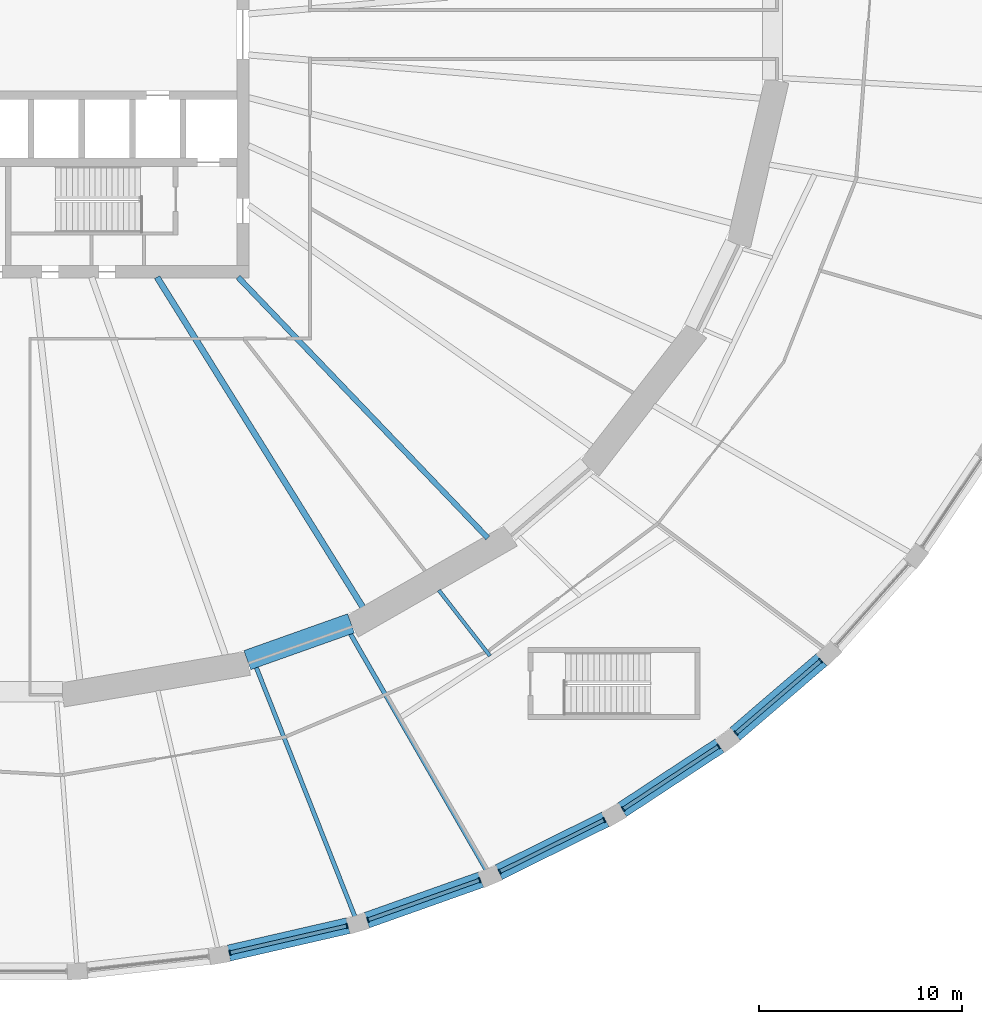
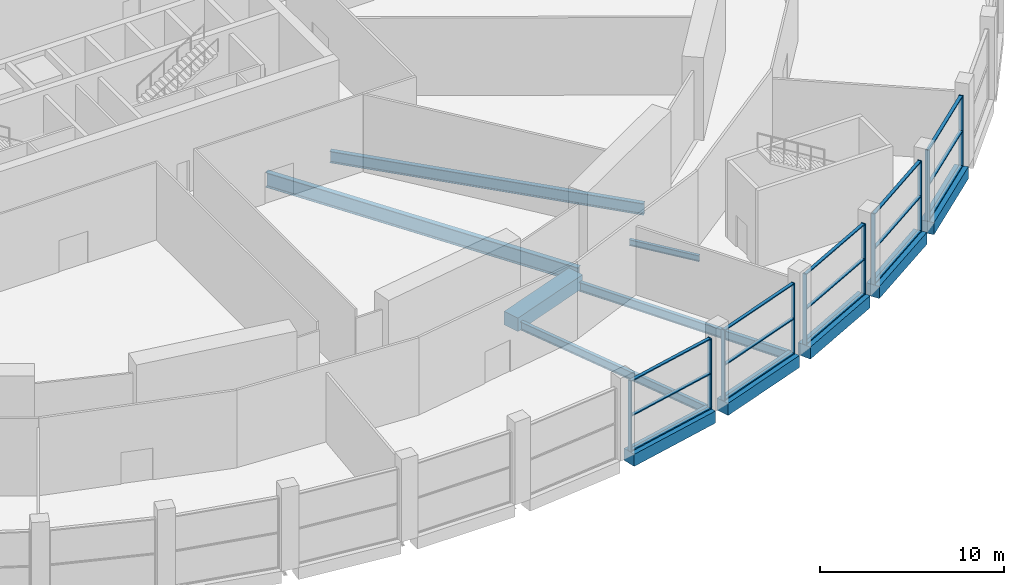
# One storey, part 8 of 29: 25 members, 11 beams, 5 elements without a shape of their own.
"""IFC4 building model written with IfcOpenShell, lengths in metres."""

import ifcopenshell
import ifcopenshell.guid

model = None  # the IFC model being written
_history = None  # IfcOwnerHistory: only IFC2X3 demands one
_inside = {}  # id of a spatial element -> (the spatial element, [elements in it])
_under = {}  # id of a project, library or spatial element -> (it, [spatial elements below it])
_declared = {}  # id of a project -> (the project, [libraries it declares])
_typed = {}  # id of a type object -> (the type object, [elements of that type])
_made_of = {}  # id of a material, layer set ... -> (it, [elements and type objects made of it])


def new_model(schema):
    """Start an empty IFC model of exactly this schema.

    Asked for "IFC4X3", IfcOpenShell would pick the latest addendum, in which some entities
    have other attributes; the version numbers below select the first issue.
    IFC2X3 requires an IfcOwnerHistory on every rooted entity: one is made here for all.
    """
    global model, _history
    if schema == "IFC4X3":
        model = ifcopenshell.file(schema_version=(4, 3, 0, 0))
    else:
        model = ifcopenshell.file(schema=schema)
    _inside.clear()
    _under.clear()
    _declared.clear()
    _typed.clear()
    _made_of.clear()
    _history = None
    if model.schema == "IFC2X3":
        org = make("IfcOrganization", Name="unknown")
        user = make(
            "IfcPersonAndOrganization",
            ThePerson=make("IfcPerson", FamilyName="unknown"),
            TheOrganization=org,
        )
        app = make(
            "IfcApplication",
            ApplicationDeveloper=org,
            Version="unknown",
            ApplicationFullName="unknown",
            ApplicationIdentifier="unknown",
        )
        _history = make(
            "IfcOwnerHistory",
            OwningUser=user,
            OwningApplication=app,
            ChangeAction="ADDED",
            CreationDate=0,
        )
    return model


def make(cls, **values):
    """One entity of the class cls with the attributes given. An attribute that is None is left unset."""
    return model.create_entity(
        cls, **{name: value for name, value in values.items() if value is not None}
    )


def rooted(cls, **values):
    """An entity with a GlobalId (a new one), such as an element, a storey or a relation."""
    return make(cls, GlobalId=ifcopenshell.guid.new(), OwnerHistory=_history, **values)


def si_unit(unit_type, name, prefix=None):
    """IfcSIUnit, for example si_unit("LENGTHUNIT", "METRE", prefix="MILLI")."""
    return make("IfcSIUnit", UnitType=unit_type, Prefix=prefix, Name=name)


def assignment(units):
    """IfcUnitAssignment: the units of a project."""
    return None if units is None else make("IfcUnitAssignment", Units=units)


def point(xyz):
    """IfcCartesianPoint."""
    return None if xyz is None else make("IfcCartesianPoint", Coordinates=xyz)


def direction(xyz):
    """IfcDirection."""
    return None if xyz is None else make("IfcDirection", DirectionRatios=xyz)


def frame(location, z_axis=None, x_axis=None):
    """IfcAxis2Placement3D, a coordinate frame: its origin and axes. An axis left out is left unset."""
    return make(
        "IfcAxis2Placement3D",
        Location=point(location),
        Axis=direction(z_axis),
        RefDirection=direction(x_axis),
    )


def frame_2d(location, x_axis=None):
    """IfcAxis2Placement2D, a coordinate frame in the plane: its origin and x axis."""
    return make(
        "IfcAxis2Placement2D", Location=point(location), RefDirection=direction(x_axis)
    )


def origin():
    """The frame at (0, 0, 0) with its axes left unset."""
    return frame((0.0, 0.0, 0.0))


def origin_2d():
    """The frame at (0, 0) in the plane with its x axis left unset."""
    return frame_2d((0.0, 0.0))


def place(relative_to, where):
    """IfcLocalPlacement: puts the frame where relative to a parent placement (None: the world)."""
    return make(
        "IfcLocalPlacement", PlacementRelTo=relative_to, RelativePlacement=where
    )


def context(
    kind, dimensions, precision=None, world=None, true_north=None, identifier=None
):
    """IfcGeometricRepresentationContext, for example the 3D "Model" context."""
    return make(
        "IfcGeometricRepresentationContext",
        ContextIdentifier=identifier,
        ContextType=kind,
        CoordinateSpaceDimension=dimensions,
        Precision=precision,
        WorldCoordinateSystem=world,
        TrueNorth=true_north,
    )


def subcontext(parent, identifier, kind, view, scale=None):
    """IfcGeometricRepresentationSubContext, for example "Body" below "Model"."""
    return make(
        "IfcGeometricRepresentationSubContext",
        ContextIdentifier=identifier,
        ContextType=kind,
        ParentContext=parent,
        TargetScale=scale,
        TargetView=view,
    )


def project(units=None, contexts=None):
    """IfcProject with its units and contexts."""
    return rooted(
        "IfcProject",
        Name="project",
        RepresentationContexts=contexts,
        UnitsInContext=assignment(units),
    )


def spatial(cls, under=None, at=None, **own):
    """A site, building, storey or space (cls), placed at a placement, below another one or the project."""
    s = rooted(cls, ObjectPlacement=at, **own)
    if under is not None:
        _under.setdefault(under.id(), (under, []))[1].append(s)
    return s


def profile(cls, at=None, kind="AREA", **sizes):
    """A parametric profile (cls). Its sizes go by their IFC names, for example OverallWidth=200.0."""
    return make(cls, ProfileType=kind, Position=at, **sizes)


def rectangle(**sizes):
    """IfcRectangleProfileDef."""
    return profile("IfcRectangleProfileDef", **sizes)


def i_section(**sizes):
    """IfcIShapeProfileDef."""
    return profile("IfcIShapeProfileDef", **sizes)


def extrude(swept, where, along, depth):
    """IfcExtrudedAreaSolid: the profile swept, set in the frame where, extruded along a direction by depth."""
    return make(
        "IfcExtrudedAreaSolid",
        SweptArea=swept,
        Position=where,
        ExtrudedDirection=direction(along),
        Depth=depth,
    )


def shape(context_of_items, identifier, shape_type, items):
    """IfcShapeRepresentation: the items that make up one representation, for example the "Body"."""
    return make(
        "IfcShapeRepresentation",
        ContextOfItems=context_of_items,
        RepresentationIdentifier=identifier,
        RepresentationType=shape_type,
        Items=items,
    )


def material(Name=None, Category=None):
    """IfcMaterial."""
    return make("IfcMaterial", Name=Name, Category=Category)


def material_profile(
    of_material, cross_section, Name=None, Category=None, Priority=None
):
    """IfcMaterialProfile: a cross section and its material."""
    return make(
        "IfcMaterialProfile",
        Name=Name,
        Material=of_material,
        Profile=cross_section,
        Priority=Priority,
        Category=Category,
    )


def profile_set(profiles, Name=None, composite=None):
    """IfcMaterialProfileSet."""
    return make(
        "IfcMaterialProfileSet",
        Name=Name,
        MaterialProfiles=profiles,
        CompositeProfile=composite,
    )


def made_of(thing, what):
    """Note that an element or type object is made of a material, layer set ...; save() writes the relation."""
    if what is not None:
        _made_of.setdefault(what.id(), (what, []))[1].append(thing)
    return thing


def type_object(cls, material=None, **own):
    """A type object (cls), such as IfcWallType, which elements share."""
    return made_of(rooted(cls, **own), material)


def element(
    cls,
    number,
    at=None,
    inside=None,
    cuts=None,
    type_object=None,
    material=None,
    context=None,
    identifier="Body",
    shape_type=None,
    held_by="IfcProductDefinitionShape",
    body=None,
    shapes=None,
    **own,
):
    """One element of the class cls, such as IfcWall. Its Tag is "e" and its number.

    at: its placement. inside: the storey or other place that contains it. cuts: it is an
    opening in that element (IfcRelVoidsElement). A single representation is given by context,
    identifier, shape_type and body (its items); several are given by shapes. held_by: the class
    of the entity that holds the representations. save() writes the other relations.
    """
    e = rooted(cls, Tag="e%d" % number, ObjectPlacement=at, **own)
    if body is not None:
        shapes = [shape(context, identifier, shape_type, body)]
    if shapes is not None:
        e.Representation = make(held_by, Representations=shapes)
    if inside is not None:
        _inside.setdefault(inside.id(), (inside, []))[1].append(e)
    if cuts is not None:
        rooted(
            "IfcRelVoidsElement", RelatingBuildingElement=cuts, RelatedOpeningElement=e
        )
    if type_object is not None:
        _typed.setdefault(type_object.id(), (type_object, []))[1].append(e)
    return made_of(e, material)


def aggregate(whole, parts):
    """IfcRelAggregates: a whole, such as a stair, and the parts it consists of."""
    return rooted("IfcRelAggregates", RelatingObject=whole, RelatedObjects=parts)


def save(model, path):
    """Write the relations noted so far, then the file.

    IfcRelAggregates (storeys below a building ...), IfcRelContainedInSpatialStructure (elements
    in a storey), IfcRelDefinesByType, IfcRelAssociatesMaterial and IfcRelDeclares: one each for
    every whole, place, type object, material and project.
    """
    for whole, parts in _under.values():
        aggregate(whole, parts)
    for where, things in _inside.values():
        rooted(
            "IfcRelContainedInSpatialStructure",
            RelatedElements=things,
            RelatingStructure=where,
        )
    for kind, things in _typed.values():
        rooted("IfcRelDefinesByType", RelatedObjects=things, RelatingType=kind)
    for what, things in _made_of.values():
        rooted("IfcRelAssociatesMaterial", RelatedObjects=things, RelatingMaterial=what)
    for by, libraries in _declared.values():
        rooted("IfcRelDeclares", RelatingContext=by, RelatedDefinitions=libraries)
    model.write(path)


model = new_model("IFC4")

# Units and contexts
model_context = context("Model", 3, precision=1e-05, world=origin(), true_north=direction((0.0, 1.0)))
body_context = subcontext(model_context, "Body", "Model", "MODEL_VIEW")
ifc_project = project(units=[si_unit("LENGTHUNIT", "METRE"), si_unit("AREAUNIT", "SQUARE_METRE"), si_unit("VOLUMEUNIT", "CUBIC_METRE"), si_unit("PLANEANGLEUNIT", "RADIAN"), si_unit("MASSUNIT", "GRAM", prefix="KILO")], contexts=[model_context])

# Site, building, storey
site_placement = place(None, origin())
site = spatial("IfcSite", under=ifc_project, at=site_placement, CompositionType="ELEMENT")
building_placement = place(site_placement, origin())
building = spatial("IfcBuilding", under=site, at=building_placement, Name="Halqa Exchange Tower", CompositionType="ELEMENT")
storey_placement = place(building_placement, frame((0.0, 0.0, 7.0)))
storey = spatial("IfcBuildingStorey", under=building, at=storey_placement, Name="L01", CompositionType="ELEMENT", Elevation=7.0)

# Curtain wall, members
ifc_material_1 = material(Name="Anodised aluminium and clear glass", Category="aluminium")
curtain_wall_type = type_object("IfcCurtainWallType", Name="Exchange hall glazing", PredefinedType="NOTDEFINED", material=ifc_material_1)
curtain_wall_1_placement = place(storey_placement, origin())
curtain_wall_1 = element("IfcCurtainWall", 1, at=curtain_wall_1_placement, inside=storey, type_object=curtain_wall_type, Name="Exchange hall glazing run P38", PredefinedType="NOTDEFINED")
ifc_material_2 = material(Name="Anodised aluminium", Category="aluminium")
ifc_material_profile_1 = material_profile(ifc_material_2, rectangle(XDim=0.25, YDim=0.070068359375, at=origin_2d()), Name="AL 70x250")
ifc_profile_set_1 = profile_set([ifc_material_profile_1], Name="Anodised aluminium")
member_type_1 = type_object("IfcMemberType", Name="Exchange hall glazing mullion 70 x 250", PredefinedType="MULLION", material=ifc_profile_set_1)
member_1_placement = place(storey_placement, frame((11.056396484375, -45.29052734375, 0.0), z_axis=(0.0, 0.0, 1.0), x_axis=(-0.223896655269, 0.974612891234, 0.0)))
member_1 = element("IfcMember", 2, at=member_1_placement, type_object=member_type_1, Name="P38 mullion 1", PredefinedType="MULLION", context=body_context, shape_type="SweptSolid", body=[
    extrude(rectangle(XDim=0.25, YDim=0.070068359375, at=origin_2d()), origin(), (0.0, 0.0, 1.0), 4.699951171875),
])
member_2_placement = place(storey_placement, frame((16.836181640625, -43.962646484375, 0.0), z_axis=(0.0, 0.0, 1.0), x_axis=(-0.223896655269, 0.974612891234, 0.0)))
member_2 = element("IfcMember", 3, at=member_2_placement, type_object=member_type_1, Name="P38 mullion 2", PredefinedType="MULLION", context=body_context, shape_type="SweptSolid", body=[
    extrude(rectangle(XDim=0.25, YDim=0.070068359375, at=origin_2d()), origin(), (0.0, 0.0, 1.0), 4.699951171875),
])

curtain_wall_2_placement = place(storey_placement, origin())
curtain_wall_2 = element("IfcCurtainWall", 4, at=curtain_wall_2_placement, inside=storey, type_object=curtain_wall_type, Name="Exchange hall glazing run P39", PredefinedType="NOTDEFINED")
member_3_placement = place(storey_placement, frame((17.86181640625, -43.663818359375, 0.0), z_axis=(0.0, 0.0, 1.0), x_axis=(-0.334688348326, 0.942328875444, 0.0)))
member_3 = element("IfcMember", 5, at=member_3_placement, type_object=member_type_1, Name="P39 mullion 1", PredefinedType="MULLION", context=body_context, shape_type="SweptSolid", body=[
    extrude(rectangle(XDim=0.25, YDim=0.070068359375, at=origin_2d()), origin(), (0.0, 0.0, 1.0), 4.699951171875),
])
member_4_placement = place(storey_placement, frame((23.37939453125, -41.7041015625, 0.0), z_axis=(0.0, 0.0, 1.0), x_axis=(-0.334688348326, 0.942328875444, 0.0)))
member_4 = element("IfcMember", 6, at=member_4_placement, type_object=member_type_1, Name="P39 mullion 2", PredefinedType="MULLION", context=body_context, shape_type="SweptSolid", body=[
    extrude(rectangle(XDim=0.25, YDim=0.070068359375, at=origin_2d()), origin(), (0.0, 0.0, 1.0), 4.699951171875),
])

curtain_wall_3_placement = place(storey_placement, origin())
curtain_wall_3 = element("IfcCurtainWall", 7, at=curtain_wall_3_placement, inside=storey, type_object=curtain_wall_type, Name="Exchange hall glazing run P40", PredefinedType="NOTDEFINED")
member_5_placement = place(storey_placement, frame((24.363037109375, -41.287841796875, 0.0), z_axis=(0.0, 0.0, 1.0), x_axis=(-0.443653417058, 0.896198440934, 0.0)))
member_5 = element("IfcMember", 8, at=member_5_placement, type_object=member_type_1, Name="P40 mullion 1", PredefinedType="MULLION", context=body_context, shape_type="SweptSolid", body=[
    extrude(rectangle(XDim=0.25, YDim=0.070068359375, at=origin_2d()), origin(), (0.0, 0.0, 1.0), 4.699951171875),
])
member_6_placement = place(storey_placement, frame((29.521240234375, -38.734375, 0.0), z_axis=(0.0, 0.0, 1.0), x_axis=(-0.443653417058, 0.896198440934, 0.0)))
member_6 = element("IfcMember", 9, at=member_6_placement, type_object=member_type_1, Name="P40 mullion 2", PredefinedType="MULLION", context=body_context, shape_type="SweptSolid", body=[
    extrude(rectangle(XDim=0.25, YDim=0.070068359375, at=origin_2d()), origin(), (0.0, 0.0, 1.0), 4.699951171875),
])

curtain_wall_4_placement = place(storey_placement, origin())
curtain_wall_4 = element("IfcCurtainWall", 10, at=curtain_wall_4_placement, inside=storey, type_object=curtain_wall_type, Name="Exchange hall glazing run P41", PredefinedType="NOTDEFINED")
member_7_placement = place(storey_placement, frame((30.44775390625, -38.202880859375, 0.0), z_axis=(0.0, 0.0, 1.0), x_axis=(-0.549620040919, 0.835414753652, 0.0)))
member_7 = element("IfcMember", 11, at=member_7_placement, type_object=member_type_1, Name="P41 mullion 1", PredefinedType="MULLION", context=body_context, shape_type="SweptSolid", body=[
    extrude(rectangle(XDim=0.25, YDim=0.070068359375, at=origin_2d()), origin(), (0.0, 0.0, 1.0), 4.699951171875),
])
member_8_placement = place(storey_placement, frame((35.15771484375, -35.104248046875, 0.0), z_axis=(0.0, 0.0, 1.0), x_axis=(-0.549620040919, 0.835414753652, 0.0)))
member_8 = element("IfcMember", 12, at=member_8_placement, type_object=member_type_1, Name="P41 mullion 2", PredefinedType="MULLION", context=body_context, shape_type="SweptSolid", body=[
    extrude(rectangle(XDim=0.25, YDim=0.070068359375, at=origin_2d()), origin(), (0.0, 0.0, 1.0), 4.699951171875),
])

curtain_wall_5_placement = place(storey_placement, origin())
curtain_wall_5 = element("IfcCurtainWall", 13, at=curtain_wall_5_placement, inside=storey, type_object=curtain_wall_type, Name="Exchange hall glazing run P42", PredefinedType="NOTDEFINED")
member_9_placement = place(storey_placement, frame((36.010986328125, -34.4619140625, 0.0), z_axis=(0.0, 0.0, 1.0), x_axis=(-0.650910929175, 0.759154109704, 0.0)))
member_9 = element("IfcMember", 14, at=member_9_placement, type_object=member_type_1, Name="P42 mullion 1", PredefinedType="MULLION", context=body_context, shape_type="SweptSolid", body=[
    extrude(rectangle(XDim=0.25, YDim=0.070068359375, at=origin_2d()), origin(), (0.0, 0.0, 1.0), 4.699951171875),
])
member_10_placement = place(storey_placement, frame((40.193115234375, -30.8759765625, 0.0), z_axis=(0.0, 0.0, 1.0), x_axis=(-0.650910929175, 0.759154109704, 0.0)))
member_10 = element("IfcMember", 15, at=member_10_placement, type_object=member_type_1, Name="P42 mullion 2", PredefinedType="MULLION", context=body_context, shape_type="SweptSolid", body=[
    extrude(rectangle(XDim=0.25, YDim=0.070068359375, at=origin_2d()), origin(), (0.0, 0.0, 1.0), 4.699951171875),
])

# Member
ifc_material_profile_2 = material_profile(ifc_material_2, rectangle(XDim=0.199951171875, YDim=0.070068359375, at=origin_2d()), Name="AL 70x200")
ifc_profile_set_2 = profile_set([ifc_material_profile_2], Name="Anodised aluminium")
member_type_2 = type_object("IfcMemberType", Name="Exchange hall glazing transom 70 x 200", PredefinedType="USERDEFINED", material=ifc_profile_set_2)
member_11_placement = place(storey_placement, frame((11.09033203125, -45.28271484375, 0.034912109375), z_axis=(0.974610483498, 0.223907135784, 0.0), x_axis=(-0.223907135784, 0.974610483498, 0.0)))
member_11 = element("IfcMember", 16, at=member_11_placement, type_object=member_type_2, Name="P38 transom 1.1", ObjectType="TRANSOM", PredefinedType="USERDEFINED", context=body_context, shape_type="SweptSolid", body=[
    extrude(rectangle(XDim=0.199951171875, YDim=0.070068359375, at=origin_2d()), origin(), (0.0, 0.0, 1.0), 5.860595703125),
])

member_12_placement = place(storey_placement, frame((11.09033203125, -45.28271484375, 2.35009765625), z_axis=(0.974610483498, 0.223907135784, 0.0), x_axis=(-0.223907135784, 0.974610483498, 0.0)))
member_12 = element("IfcMember", 17, at=member_12_placement, type_object=member_type_2, Name="P38 transom 1.2", ObjectType="TRANSOM", PredefinedType="USERDEFINED", context=body_context, shape_type="SweptSolid", body=[
    extrude(rectangle(XDim=0.199951171875, YDim=0.070068359375, at=origin_2d()), origin(), (0.0, 0.0, 1.0), 5.860595703125),
])

member_13_placement = place(storey_placement, frame((11.09033203125, -45.28271484375, 4.6650390625), z_axis=(0.974610483498, 0.223907135784, 0.0), x_axis=(-0.223907135784, 0.974610483498, 0.0)))
member_13 = element("IfcMember", 18, at=member_13_placement, type_object=member_type_2, Name="P38 transom 1.3", ObjectType="TRANSOM", PredefinedType="USERDEFINED", context=body_context, shape_type="SweptSolid", body=[
    extrude(rectangle(XDim=0.199951171875, YDim=0.070068359375, at=origin_2d()), origin(), (0.0, 0.0, 1.0), 5.860595703125),
])

aggregate(curtain_wall_1, [member_1, member_2, member_11, member_12, member_13])

member_14_placement = place(storey_placement, frame((17.894775390625, -43.652099609375, 0.034912109375), z_axis=(0.942328600126, 0.334689123493, 0.0), x_axis=(-0.334689123493, 0.942328600126, 0.0)))
member_14 = element("IfcMember", 19, at=member_14_placement, type_object=member_type_2, Name="P39 transom 1.1", ObjectType="TRANSOM", PredefinedType="USERDEFINED", context=body_context, shape_type="SweptSolid", body=[
    extrude(rectangle(XDim=0.199951171875, YDim=0.070068359375, at=origin_2d()), origin(), (0.0, 0.0, 1.0), 5.785400390625),
])

member_15_placement = place(storey_placement, frame((17.894775390625, -43.652099609375, 2.35009765625), z_axis=(0.942328600126, 0.334689123493, 0.0), x_axis=(-0.334689123493, 0.942328600126, 0.0)))
member_15 = element("IfcMember", 20, at=member_15_placement, type_object=member_type_2, Name="P39 transom 1.2", ObjectType="TRANSOM", PredefinedType="USERDEFINED", context=body_context, shape_type="SweptSolid", body=[
    extrude(rectangle(XDim=0.199951171875, YDim=0.070068359375, at=origin_2d()), origin(), (0.0, 0.0, 1.0), 5.785400390625),
])

member_16_placement = place(storey_placement, frame((17.894775390625, -43.652099609375, 4.6650390625), z_axis=(0.942328600126, 0.334689123493, 0.0), x_axis=(-0.334689123493, 0.942328600126, 0.0)))
member_16 = element("IfcMember", 21, at=member_16_placement, type_object=member_type_2, Name="P39 transom 1.3", ObjectType="TRANSOM", PredefinedType="USERDEFINED", context=body_context, shape_type="SweptSolid", body=[
    extrude(rectangle(XDim=0.199951171875, YDim=0.070068359375, at=origin_2d()), origin(), (0.0, 0.0, 1.0), 5.785400390625),
])

aggregate(curtain_wall_2, [member_3, member_4, member_14, member_15, member_16])

member_17_placement = place(storey_placement, frame((24.39453125, -41.2724609375, 0.034912109375), z_axis=(0.89618076134, 0.443689128788, 0.0), x_axis=(-0.443689128788, 0.89618076134, 0.0)))
member_17 = element("IfcMember", 22, at=member_17_placement, type_object=member_type_2, Name="P40 transom 1.1", ObjectType="TRANSOM", PredefinedType="USERDEFINED", context=body_context, shape_type="SweptSolid", body=[
    extrude(rectangle(XDim=0.199951171875, YDim=0.070068359375, at=origin_2d()), origin(), (0.0, 0.0, 1.0), 5.685791015625),
])

member_18_placement = place(storey_placement, frame((24.39453125, -41.2724609375, 2.35009765625), z_axis=(0.89618076134, 0.443689128788, 0.0), x_axis=(-0.443689128788, 0.89618076134, 0.0)))
member_18 = element("IfcMember", 23, at=member_18_placement, type_object=member_type_2, Name="P40 transom 1.2", ObjectType="TRANSOM", PredefinedType="USERDEFINED", context=body_context, shape_type="SweptSolid", body=[
    extrude(rectangle(XDim=0.199951171875, YDim=0.070068359375, at=origin_2d()), origin(), (0.0, 0.0, 1.0), 5.685791015625),
])

member_19_placement = place(storey_placement, frame((24.39453125, -41.2724609375, 4.6650390625), z_axis=(0.89618076134, 0.443689128788, 0.0), x_axis=(-0.443689128788, 0.89618076134, 0.0)))
member_19 = element("IfcMember", 24, at=member_19_placement, type_object=member_type_2, Name="P40 transom 1.3", ObjectType="TRANSOM", PredefinedType="USERDEFINED", context=body_context, shape_type="SweptSolid", body=[
    extrude(rectangle(XDim=0.199951171875, YDim=0.070068359375, at=origin_2d()), origin(), (0.0, 0.0, 1.0), 5.685791015625),
])

aggregate(curtain_wall_3, [member_5, member_6, member_17, member_18, member_19])

member_20_placement = place(storey_placement, frame((30.47705078125, -38.183837890625, 0.034912109375), z_axis=(0.835401187087, 0.549640661355, 0.0), x_axis=(-0.549640661355, 0.835401187087, 0.0)))
member_20 = element("IfcMember", 25, at=member_20_placement, type_object=member_type_2, Name="P41 transom 1.1", ObjectType="TRANSOM", PredefinedType="USERDEFINED", context=body_context, shape_type="SweptSolid", body=[
    extrude(rectangle(XDim=0.199951171875, YDim=0.070068359375, at=origin_2d()), origin(), (0.0, 0.0, 1.0), 5.56787109375),
])

member_21_placement = place(storey_placement, frame((30.47705078125, -38.183837890625, 2.35009765625), z_axis=(0.835401187087, 0.549640661355, 0.0), x_axis=(-0.549640661355, 0.835401187087, 0.0)))
member_21 = element("IfcMember", 26, at=member_21_placement, type_object=member_type_2, Name="P41 transom 1.2", ObjectType="TRANSOM", PredefinedType="USERDEFINED", context=body_context, shape_type="SweptSolid", body=[
    extrude(rectangle(XDim=0.199951171875, YDim=0.070068359375, at=origin_2d()), origin(), (0.0, 0.0, 1.0), 5.56787109375),
])

member_22_placement = place(storey_placement, frame((30.47705078125, -38.183837890625, 4.6650390625), z_axis=(0.835401187087, 0.549640661355, 0.0), x_axis=(-0.549640661355, 0.835401187087, 0.0)))
member_22 = element("IfcMember", 27, at=member_22_placement, type_object=member_type_2, Name="P41 transom 1.3", ObjectType="TRANSOM", PredefinedType="USERDEFINED", context=body_context, shape_type="SweptSolid", body=[
    extrude(rectangle(XDim=0.199951171875, YDim=0.070068359375, at=origin_2d()), origin(), (0.0, 0.0, 1.0), 5.56787109375),
])

aggregate(curtain_wall_4, [member_7, member_8, member_20, member_21, member_22])

member_23_placement = place(storey_placement, frame((36.037353515625, -34.439208984375, 0.034912109375), z_axis=(0.759142529619, 0.650924434727, 0.0), x_axis=(-0.650924434727, 0.759142529619, 0.0)))
member_23 = element("IfcMember", 28, at=member_23_placement, type_object=member_type_2, Name="P42 transom 1.1", ObjectType="TRANSOM", PredefinedType="USERDEFINED", context=body_context, shape_type="SweptSolid", body=[
    extrude(rectangle(XDim=0.199951171875, YDim=0.070068359375, at=origin_2d()), origin(), (0.0, 0.0, 1.0), 5.439208984375),
])

member_24_placement = place(storey_placement, frame((36.037353515625, -34.439208984375, 2.35009765625), z_axis=(0.759142529619, 0.650924434727, 0.0), x_axis=(-0.650924434727, 0.759142529619, 0.0)))
member_24 = element("IfcMember", 29, at=member_24_placement, type_object=member_type_2, Name="P42 transom 1.2", ObjectType="TRANSOM", PredefinedType="USERDEFINED", context=body_context, shape_type="SweptSolid", body=[
    extrude(rectangle(XDim=0.199951171875, YDim=0.070068359375, at=origin_2d()), origin(), (0.0, 0.0, 1.0), 5.439208984375),
])

member_25_placement = place(storey_placement, frame((36.037353515625, -34.439208984375, 4.6650390625), z_axis=(0.759142529619, 0.650924434727, 0.0), x_axis=(-0.650924434727, 0.759142529619, 0.0)))
member_25 = element("IfcMember", 30, at=member_25_placement, type_object=member_type_2, Name="P42 transom 1.3", ObjectType="TRANSOM", PredefinedType="USERDEFINED", context=body_context, shape_type="SweptSolid", body=[
    extrude(rectangle(XDim=0.199951171875, YDim=0.070068359375, at=origin_2d()), origin(), (0.0, 0.0, 1.0), 5.439208984375),
])

aggregate(curtain_wall_5, [member_9, member_10, member_23, member_24, member_25])

# Beams
ifc_material_3 = material(Name="Steel S355", Category="steel")
ifc_material_profile_3 = material_profile(ifc_material_3, i_section(OverallWidth=0.300048828125, OverallDepth=0.989990234375, WebThickness=0.0166015625, FlangeThickness=0.031005859375, FilletRadius=0.030029296875, at=origin_2d()), Name="HEA 1000")
ifc_profile_set_3 = profile_set([ifc_material_profile_3], Name="Steel S355")
beam_type_1 = type_object("IfcBeamType", Name="Floor beam HEA 1000", PredefinedType="BEAM", material=ifc_profile_set_3)
beam_1_placement = place(storey_placement, frame((7.46533203125, -11.971435546875, -0.844970703125), z_axis=(0.529145823441, -0.848530905468, 0.0), x_axis=(0.848530905468, 0.529145823441, 0.0)))
element("IfcBeam", 31, at=beam_1_placement, inside=storey, type_object=beam_type_1, Name="Radial beam 27", PredefinedType="BEAM", context=body_context, shape_type="SweptSolid", body=[
    extrude(i_section(OverallWidth=0.300048828125, OverallDepth=0.989990234375, WebThickness=0.0166015625, FlangeThickness=0.031005859375, FilletRadius=0.030029296875, at=origin_2d()), origin(), (0.0, 0.0, 1.0), 19.27294921875),
])
ifc_material_profile_4 = material_profile(ifc_material_3, i_section(OverallWidth=0.179931640625, OverallDepth=0.39990234375, WebThickness=0.008544921875, FlangeThickness=0.013427734375, FilletRadius=0.02099609375, at=origin_2d()), Name="IPE 400")
ifc_profile_set_4 = profile_set([ifc_material_profile_4], Name="Steel S355")
beam_type_2 = type_object("IfcBeamType", Name="Floor beam IPE 400", PredefinedType="BEAM", material=ifc_profile_set_4)
beam_2_placement = place(storey_placement, frame((21.3603515625, -27.40966796875, -0.550048828125), z_axis=(0.614706293657, -0.788756091919, 0.0), x_axis=(0.788756091919, 0.614706293657, 0.0)))
element("IfcBeam", 32, at=beam_2_placement, inside=storey, type_object=beam_type_2, Name="Radial beam 41a", PredefinedType="BEAM", context=body_context, shape_type="SweptSolid", body=[
    extrude(i_section(OverallWidth=0.179931640625, OverallDepth=0.39990234375, WebThickness=0.008544921875, FlangeThickness=0.013427734375, FilletRadius=0.02099609375, at=origin_2d()), origin(), (0.0, 0.0, 1.0), 4.104248046875),
])
ifc_material_profile_5 = material_profile(ifc_material_3, i_section(OverallWidth=0.2099609375, OverallDepth=0.550048828125, WebThickness=0.010986328125, FlangeThickness=0.01708984375, FilletRadius=0.02392578125, at=origin_2d()), Name="IPE 550")
ifc_profile_set_5 = profile_set([ifc_material_profile_5], Name="Steel S355")
beam_type_3 = type_object("IfcBeamType", Name="Floor beam IPE 550", PredefinedType="BEAM", material=ifc_profile_set_5)
beam_3_placement = place(storey_placement, frame((12.352294921875, -31.2001953125, -0.625), z_axis=(0.368106640822, -0.929783577497, 0.0), x_axis=(0.929783577497, 0.368106640822, 0.0)))
element("IfcBeam", 33, at=beam_3_placement, inside=storey, type_object=beam_type_3, Name="Radial beam 39", PredefinedType="BEAM", context=body_context, shape_type="SweptSolid", body=[
    extrude(i_section(OverallWidth=0.2099609375, OverallDepth=0.550048828125, WebThickness=0.010986328125, FlangeThickness=0.01708984375, FilletRadius=0.02392578125, at=origin_2d()), origin(), (0.0, 0.0, 1.0), 13.22412109375),
])
ifc_material_profile_6 = material_profile(ifc_material_3, i_section(OverallWidth=0.219970703125, OverallDepth=0.60009765625, WebThickness=0.011962890625, FlangeThickness=0.01904296875, FilletRadius=0.02392578125, at=origin_2d()), Name="IPE 600")
ifc_profile_set_6 = profile_set([ifc_material_profile_6], Name="Steel S355")
beam_type_4 = type_object("IfcBeamType", Name="Floor beam IPE 600", PredefinedType="BEAM", material=ifc_profile_set_6)
beam_4_placement = place(storey_placement, frame((16.996826171875, -29.551513671875, -0.64990234375), z_axis=(0.498570786865, -0.866848989435, 0.0), x_axis=(0.866848989435, 0.498570786865, 0.0)))
element("IfcBeam", 34, at=beam_4_placement, inside=storey, type_object=beam_type_4, Name="Radial beam 40", PredefinedType="BEAM", context=body_context, shape_type="SweptSolid", body=[
    extrude(i_section(OverallWidth=0.219970703125, OverallDepth=0.60009765625, WebThickness=0.011962890625, FlangeThickness=0.01904296875, FilletRadius=0.02392578125, at=origin_2d()), origin(), (0.0, 0.0, 1.0), 13.438720703125),
])
ifc_material_profile_7 = material_profile(ifc_material_3, i_section(OverallWidth=0.26806640625, OverallDepth=0.77001953125, WebThickness=0.015625, FlangeThickness=0.025390625, FilletRadius=0.01708984375, at=origin_2d()), Name="IPE 750x196")
ifc_profile_set_7 = profile_set([ifc_material_profile_7], Name="Steel S355")
beam_type_5 = type_object("IfcBeamType", Name="Floor beam IPE 750x196", PredefinedType="BEAM", material=ifc_profile_set_7)
beam_5_placement = place(storey_placement, frame((11.46240234375, -11.9716796875, -0.735107421875), z_axis=(0.6915763718, -0.722303344841, 0.0), x_axis=(0.722303344841, 0.6915763718, 0.0)))
element("IfcBeam", 35, at=beam_5_placement, inside=storey, type_object=beam_type_5, Name="Radial beam 28", PredefinedType="BEAM", context=body_context, shape_type="SweptSolid", body=[
    extrude(i_section(OverallWidth=0.26806640625, OverallDepth=0.77001953125, WebThickness=0.015625, FlangeThickness=0.025390625, FilletRadius=0.01708984375, at=origin_2d()), origin(), (0.0, 0.0, 1.0), 17.7978515625),
])
ifc_material_4 = material(Name="Concrete C60/75", Category="concrete")
ifc_material_profile_8 = material_profile(ifc_material_4, rectangle(XDim=0.800048828125, YDim=0.800048828125, at=origin_2d()), Name="800 x 800")
ifc_profile_set_8 = profile_set([ifc_material_profile_8], Name="Concrete C60/75")
beam_type_6 = type_object("IfcBeamType", Name="RC podium edge beam 800 x 800 C60/75", PredefinedType="SPANDREL", material=ifc_profile_set_8)
beam_6_placement = place(storey_placement, frame((10.99658203125, -45.304443359375, -0.39990234375), z_axis=(0.974604133477, 0.223934774008, 0.0), x_axis=(-0.223934774008, 0.974604133477, 0.0)))
element("IfcBeam", 36, at=beam_6_placement, inside=storey, type_object=beam_type_6, Name="Podium edge beam 38", PredefinedType="SPANDREL", context=body_context, shape_type="SweptSolid", body=[
    extrude(rectangle(XDim=0.800048828125, YDim=0.800048828125, at=origin_2d()), origin(), (0.0, 0.0, 1.0), 6.05517578125),
])
beam_7_placement = place(storey_placement, frame((17.802490234375, -43.684814453125, -0.39990234375), z_axis=(0.942343471221, 0.334647250469, 0.0), x_axis=(-0.334647250469, 0.942343471221, 0.0)))
element("IfcBeam", 37, at=beam_7_placement, inside=storey, type_object=beam_type_6, Name="Podium edge beam 39", PredefinedType="SPANDREL", context=body_context, shape_type="SweptSolid", body=[
    extrude(rectangle(XDim=0.800048828125, YDim=0.800048828125, at=origin_2d()), origin(), (0.0, 0.0, 1.0), 5.980712890625),
])
beam_8_placement = place(storey_placement, frame((24.30712890625, -41.3154296875, -0.39990234375), z_axis=(0.896205416004, 0.443639326847, 0.0), x_axis=(-0.443639326847, 0.896205416004, 0.0)))
element("IfcBeam", 38, at=beam_8_placement, inside=storey, type_object=beam_type_6, Name="Podium edge beam 40", PredefinedType="SPANDREL", context=body_context, shape_type="SweptSolid", body=[
    extrude(rectangle(XDim=0.800048828125, YDim=0.800048828125, at=origin_2d()), origin(), (0.0, 0.0, 1.0), 5.880126953125),
])
beam_9_placement = place(storey_placement, frame((30.396240234375, -38.23681640625, -0.39990234375), z_axis=(0.835418618456, 0.549614166426, 0.0), x_axis=(-0.549614166426, 0.835418618456, 0.0)))
element("IfcBeam", 39, at=beam_9_placement, inside=storey, type_object=beam_type_6, Name="Podium edge beam 41", PredefinedType="SPANDREL", context=body_context, shape_type="SweptSolid", body=[
    extrude(rectangle(XDim=0.800048828125, YDim=0.800048828125, at=origin_2d()), origin(), (0.0, 0.0, 1.0), 5.760986328125),
])
beam_10_placement = place(storey_placement, frame((35.963134765625, -34.502685546875, -0.39990234375), z_axis=(0.759174010844, 0.650887717859, 0.0), x_axis=(-0.650887717859, 0.759174010844, 0.0)))
element("IfcBeam", 40, at=beam_10_placement, inside=storey, type_object=beam_type_6, Name="Podium edge beam 42", PredefinedType="SPANDREL", context=body_context, shape_type="SweptSolid", body=[
    extrude(rectangle(XDim=0.800048828125, YDim=0.800048828125, at=origin_2d()), origin(), (0.0, 0.0, 1.0), 5.63427734375),
])
ifc_material_profile_9 = material_profile(ifc_material_4, rectangle(XDim=1.0, YDim=0.89990234375, at=origin_2d()), Name="1000 x 900")
ifc_profile_set_9 = profile_set([ifc_material_profile_9], Name="Concrete C60/75")
beam_type_7 = type_object("IfcBeamType", Name="RC spandrel beam 1000 x 900 C60/75", PredefinedType="SPANDREL", material=ifc_profile_set_9)
beam_11_placement = place(storey_placement, frame((11.9130859375, -30.855712890625, -0.449951171875), z_axis=(0.942357788657, 0.334606930826, 0.0), x_axis=(-0.334606930826, 0.942357788657, 0.0)))
element("IfcBeam", 41, at=beam_11_placement, inside=storey, type_object=beam_type_7, Name="Spandrel 26", PredefinedType="SPANDREL", context=body_context, shape_type="SweptSolid", body=[
    extrude(rectangle(XDim=1.0, YDim=0.89990234375, at=origin_2d()), origin(), (0.0, 0.0, 1.0), 5.429931640625),
])

save(model, "model.ifc")
